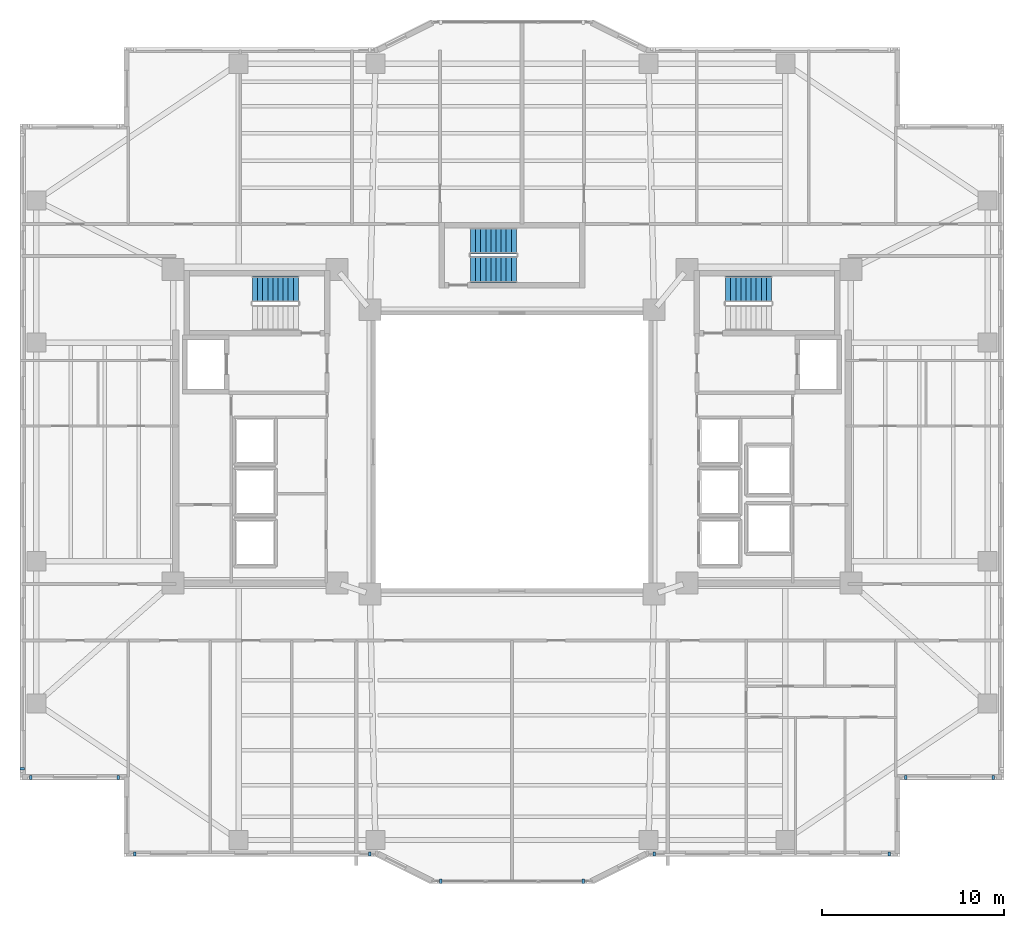
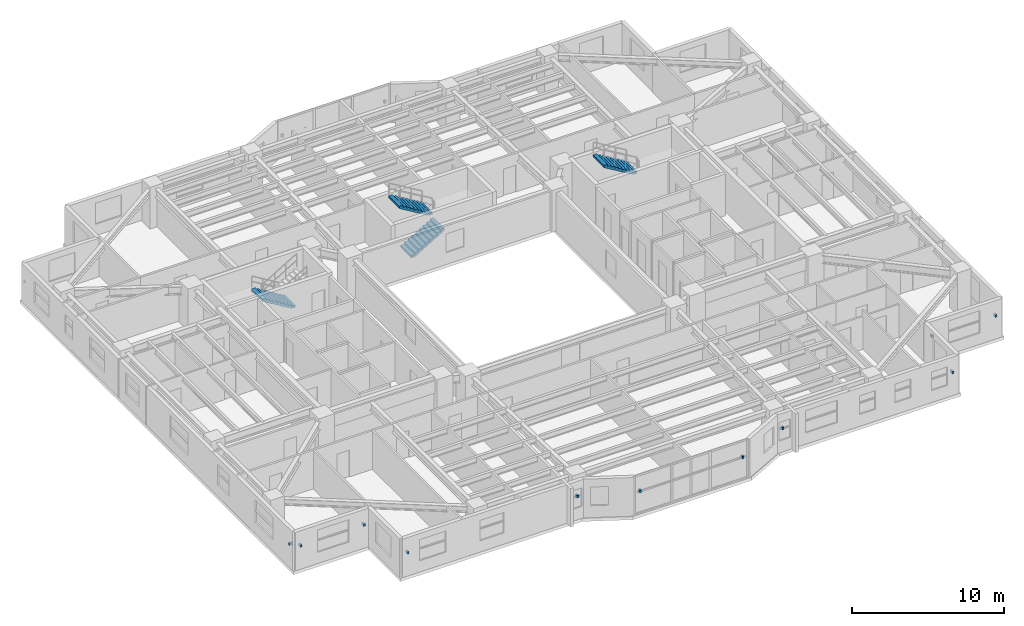
# One storey, part 11 of 18: 11 discrete accessories, 4 stair flights, 3 elements without a shape of their own.
"""IFC4 building model written with IfcOpenShell, lengths in metres."""

from ifc_helpers import new_model, si_unit, direction, frame, origin, origin_2d, place, context, subcontext, project, spatial, polyline, rectangle, outline, extrude, material, type_object, element, aggregate, save


model = new_model("IFC4")

# Units and contexts
model_context = context("Model", 3, precision=1e-05, world=origin(), true_north=direction((0.0, 1.0)))
body_context = subcontext(model_context, "Body", "Model", "MODEL_VIEW")
ifc_project = project(units=[si_unit("LENGTHUNIT", "METRE"), si_unit("AREAUNIT", "SQUARE_METRE"), si_unit("VOLUMEUNIT", "CUBIC_METRE"), si_unit("PLANEANGLEUNIT", "RADIAN"), si_unit("MASSUNIT", "GRAM", prefix="KILO")], contexts=[model_context])

# Site, building, storey
site_placement = place(None, origin())
site = spatial("IfcSite", under=ifc_project, at=site_placement, CompositionType="ELEMENT")
building_placement = place(site_placement, origin())
building = spatial("IfcBuilding", under=site, at=building_placement, Name="Tarnavaz Court Tower", CompositionType="ELEMENT")
storey_placement = place(building_placement, frame((0.0, 0.0, 105.10009765625)))
storey = spatial("IfcBuildingStorey", under=building, at=storey_placement, Name="L28", CompositionType="ELEMENT", Elevation=105.10009765625)

# Stair, stair flight
ifc_material_1 = material(Name="Concrete C40/50", Category="concrete")
stair_type = type_object("IfcStairType", Name="ST-TWR-20R", PredefinedType="HALF_TURN_STAIR", material=ifc_material_1)
stair_1_placement = place(storey_placement, origin())
stair_1 = element("IfcStair", 1, at=stair_1_placement, inside=storey, type_object=stair_type, Name="L28 West Core Pressurized Exit Stair ST-W1", PredefinedType="HALF_TURN_STAIR")
stair_flight_type = type_object("IfcStairFlightType", Name="SFL-RC-20R", PredefinedType="STRAIGHT", material=ifc_material_1)
stair_flight_1_placement = place(storey_placement, frame((-11.719970703125, 8.929931640625, 0.0), z_axis=(0.0, 0.0, 1.0), x_axis=(-1.0, 0.0, 0.0)))
stair_flight_1 = element("IfcStairFlight", 2, at=stair_flight_1_placement, type_object=stair_flight_type, Name="ST-W1 flight 1", NumberOfRisers=10, NumberOfTreads=9, PredefinedType="STRAIGHT", RiserHeight=0.1675, TreadLength=0.28, context=body_context, shape_type="SweptSolid", body=[
    extrude(outline(polyline([(0.0, 0.0), (0.0, 0.16748046875), (0.280029296875, 0.16748046875), (0.280029296875, 0.3349609375), (0.56005859375, 0.3349609375), (0.56005859375, 0.50244140625), (0.840087890625, 0.50244140625), (0.840087890625, 0.669921875), (1.1201171875, 0.669921875), (1.1201171875, 0.83740234375), (1.39990234375, 0.83740234375), (1.39990234375, 1.0048828125), (1.679931640625, 1.0048828125), (1.679931640625, 1.172607421875), (1.9599609375, 1.172607421875), (1.9599609375, 1.340087890625), (2.239990234375, 1.340087890625), (2.239990234375, 1.507568359375), (2.52001953125, 1.507568359375), (2.52001953125, 1.675048828125), (2.52001953125, 1.332763671875), (0.2919921875, 0.0), (0.0, 0.0)])), frame((0.0, 0.7099609375, 0.0), z_axis=(0.0, -1.0, 0.0), x_axis=(1.0, 0.0, 0.0)), (0.0, 0.0, 1.0), 1.419921875),
])
aggregate(stair_1, [stair_flight_1])

stair_2_placement = place(storey_placement, origin())
stair_2 = element("IfcStair", 3, at=stair_2_placement, inside=storey, type_object=stair_type, Name="L28 East Core Pressurized Exit Stair ST-E1", PredefinedType="HALF_TURN_STAIR")
stair_flight_2_placement = place(storey_placement, frame((14.239990234375, 8.929931640625, 1.6748046875), z_axis=(0.0, 0.0, 1.0), x_axis=(-1.0, 0.0, 0.0)))
stair_flight_2 = element("IfcStairFlight", 4, at=stair_flight_2_placement, type_object=stair_flight_type, Name="ST-E1 flight 2", NumberOfRisers=10, NumberOfTreads=9, PredefinedType="STRAIGHT", RiserHeight=0.1675, TreadLength=0.28, context=body_context, shape_type="SweptSolid", body=[
    extrude(outline(polyline([(0.0, 0.0), (0.0, 0.16748046875), (0.280029296875, 0.16748046875), (0.280029296875, 0.3349609375), (0.56005859375, 0.3349609375), (0.56005859375, 0.50244140625), (0.840087890625, 0.50244140625), (0.840087890625, 0.669921875), (1.1201171875, 0.669921875), (1.1201171875, 0.83740234375), (1.39990234375, 0.83740234375), (1.39990234375, 1.0048828125), (1.679931640625, 1.0048828125), (1.679931640625, 1.172607421875), (1.9599609375, 1.172607421875), (1.9599609375, 1.340087890625), (2.239990234375, 1.340087890625), (2.239990234375, 1.507568359375), (2.52001953125, 1.507568359375), (2.52001953125, 1.675048828125), (2.52001953125, 1.332763671875), (0.2919921875, 0.0), (0.0, 0.0)])), frame((0.0, 0.7099609375, 0.0), z_axis=(0.0, -1.0, 0.0), x_axis=(1.0, 0.0, 0.0)), (0.0, 0.0, 1.0), 1.419921875),
])
aggregate(stair_2, [stair_flight_2])

# Stair, stair flights
stair_3_placement = place(storey_placement, origin())
stair_3 = element("IfcStair", 5, at=stair_3_placement, inside=storey, type_object=stair_type, Name="L28 North Ring Pressurized Exit Stair ST-N1", PredefinedType="HALF_TURN_STAIR")
stair_flight_3_placement = place(storey_placement, frame((-2.280029296875, 10.010009765625, 0.0), z_axis=(0.0, 0.0, 1.0), x_axis=(1.0, 0.0, 0.0)))
stair_flight_3 = element("IfcStairFlight", 6, at=stair_flight_3_placement, type_object=stair_flight_type, Name="ST-N1 flight 1", NumberOfRisers=10, NumberOfTreads=9, PredefinedType="STRAIGHT", RiserHeight=0.1675, TreadLength=0.28, context=body_context, shape_type="SweptSolid", body=[
    extrude(outline(polyline([(0.0, 0.0), (0.0, 0.16748046875), (0.280029296875, 0.16748046875), (0.280029296875, 0.3349609375), (0.56005859375, 0.3349609375), (0.56005859375, 0.50244140625), (0.840087890625, 0.50244140625), (0.840087890625, 0.669921875), (1.1201171875, 0.669921875), (1.1201171875, 0.83740234375), (1.39990234375, 0.83740234375), (1.39990234375, 1.0048828125), (1.679931640625, 1.0048828125), (1.679931640625, 1.172607421875), (1.9599609375, 1.172607421875), (1.9599609375, 1.340087890625), (2.239990234375, 1.340087890625), (2.239990234375, 1.507568359375), (2.52001953125, 1.507568359375), (2.52001953125, 1.675048828125), (2.52001953125, 1.332763671875), (0.2919921875, 0.0), (0.0, 0.0)])), frame((0.0, 0.7099609375, 0.0), z_axis=(0.0, -1.0, 0.0), x_axis=(1.0, 0.0, 0.0)), (0.0, 0.0, 1.0), 1.419921875),
])
stair_flight_4_placement = place(storey_placement, frame((0.239990234375, 11.580078125, 1.6748046875), z_axis=(0.0, 0.0, 1.0), x_axis=(-1.0, 0.0, 0.0)))
stair_flight_4 = element("IfcStairFlight", 7, at=stair_flight_4_placement, type_object=stair_flight_type, Name="ST-N1 flight 2", NumberOfRisers=10, NumberOfTreads=9, PredefinedType="STRAIGHT", RiserHeight=0.1675, TreadLength=0.28, context=body_context, shape_type="SweptSolid", body=[
    extrude(outline(polyline([(0.0, 0.0), (0.0, 0.16748046875), (0.280029296875, 0.16748046875), (0.280029296875, 0.3349609375), (0.56005859375, 0.3349609375), (0.56005859375, 0.50244140625), (0.840087890625, 0.50244140625), (0.840087890625, 0.669921875), (1.1201171875, 0.669921875), (1.1201171875, 0.83740234375), (1.39990234375, 0.83740234375), (1.39990234375, 1.0048828125), (1.679931640625, 1.0048828125), (1.679931640625, 1.172607421875), (1.9599609375, 1.172607421875), (1.9599609375, 1.340087890625), (2.239990234375, 1.340087890625), (2.239990234375, 1.507568359375), (2.52001953125, 1.507568359375), (2.52001953125, 1.675048828125), (2.52001953125, 1.332763671875), (0.2919921875, 0.0), (0.0, 0.0)])), frame((0.0, 0.7099609375, 0.0), z_axis=(0.0, -1.0, 0.0), x_axis=(1.0, 0.0, 0.0)), (0.0, 0.0, 1.0), 1.419921875),
])
aggregate(stair_3, [stair_flight_3, stair_flight_4])

# Discrete accessories
ifc_material_2 = material(Name="Anodised Aluminium 6063-T6", Category="aluminium")
discrete_accessory_type = type_object("IfcDiscreteAccessoryType", Name="DA-BRKT-ALU", PredefinedType="BRACKET", material=ifc_material_2)
for number, where, z_axis, x_axis, name in (
    (8, (-21.60009765625, -17.8701171875, 1.75), (0.0, 0.0, 1.0), (-1.0, 0.0, 0.0), "L28 Baguette Outrigger Bracket FBG01-1"),
    (9, (-26.39990234375, -17.8701171875, 1.75), (0.0, 0.0, 1.0), (-1.0, 0.0, 0.0), "L28 Baguette Outrigger Bracket FBG01-2"),
    (10, (-26.8701171875, -17.39990234375, 1.75), (0.0, 0.0, 1.0), (0.0, 1.0, 0.0), "L28 Baguette Outrigger Bracket FBG02-1"),
    (11, (26.39990234375, -17.8701171875, 1.75), (0.0, 0.0, 1.0), (-1.0, 0.0, 0.0), "L28 Baguette Outrigger Bracket FBG13-1"),
    (12, (21.60009765625, -17.8701171875, 1.75), (0.0, 0.0, 1.0), (-1.0, 0.0, 0.0), "L28 Baguette Outrigger Bracket FBG13-2"),
    (13, (20.699951171875, -22.070068359375, 1.75), (0.0, 0.0, 1.0), (-1.0, 0.0, 0.0), "L28 Baguette Outrigger Bracket FBG15-1"),
    (14, (7.800048828125, -22.070068359375, 1.75), (0.0, 0.0, 1.0), (-1.0, 0.0, 0.0), "L28 Baguette Outrigger Bracket FBG15-2"),
    (15, (3.89990234375, -23.570068359375, 1.69970703125), (0.0, 0.0, 1.0), (-1.0, 0.0, 0.0), "L28 Baguette Outrigger Bracket PBG17-1"),
    (16, (-3.89990234375, -23.570068359375, 1.69970703125), (0.0, 0.0, 1.0), (-1.0, 0.0, 0.0), "L28 Baguette Outrigger Bracket PBG17-2"),
    (17, (-7.800048828125, -22.070068359375, 1.75), (0.0, 0.0, 1.0), (-1.0, 0.0, 0.0), "L28 Baguette Outrigger Bracket FBG19-1"),
    (18, (-20.699951171875, -22.070068359375, 1.75), (0.0, 0.0, 1.0), (-1.0, 0.0, 0.0), "L28 Baguette Outrigger Bracket FBG19-2"),
):
    element("IfcDiscreteAccessory", number, at=place(storey_placement, frame(where, z_axis=z_axis, x_axis=x_axis)), inside=storey, type_object=discrete_accessory_type, Name=name, PredefinedType="BRACKET", context=body_context, shape_type="SweptSolid", body=[
        extrude(rectangle(XDim=0.139892578125, YDim=0.239990234375, at=origin_2d()), origin(), (0.0, 0.0, 1.0), 0.199951171875),
    ])

save(model, "model.ifc")
